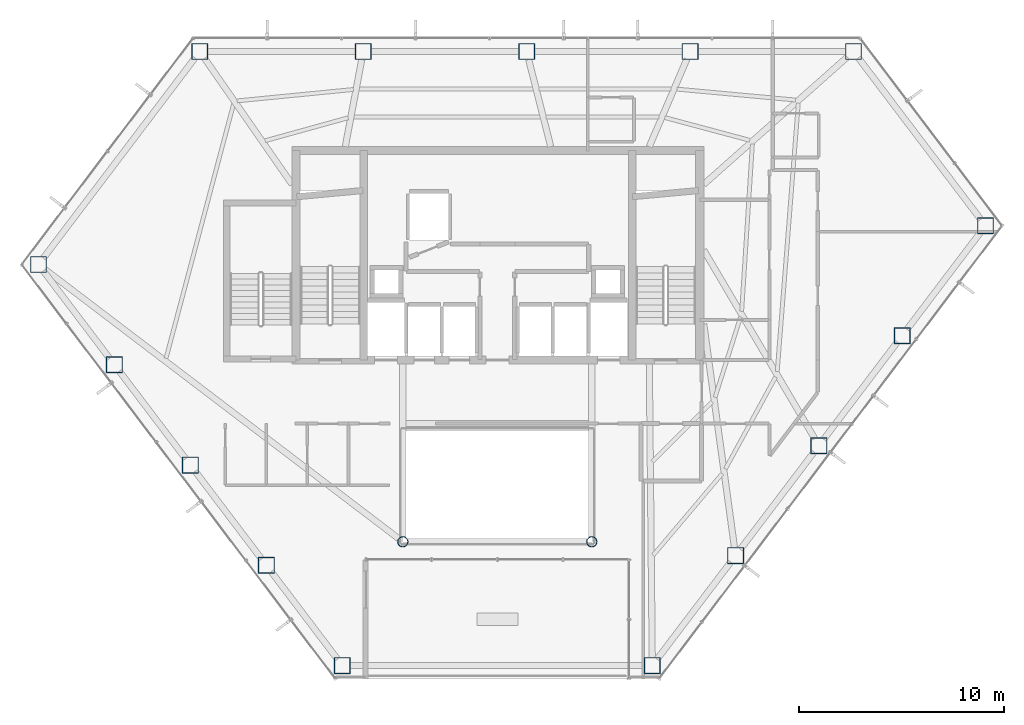
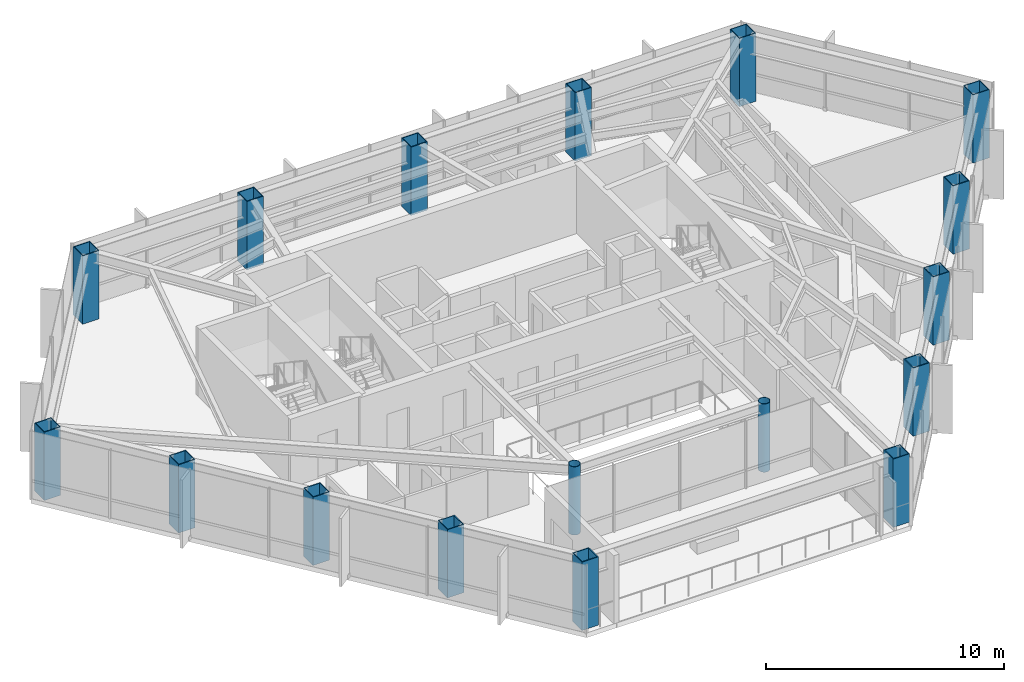
# One storey, part 1 of 28: 17 columns.
"""IFC4 building model written with IfcOpenShell, lengths in metres."""

from ifc_helpers import new_model, si_unit, direction, frame, origin, origin_2d, place, context, subcontext, project, spatial, hollow_rectangle, hollow_circle, extrude, material, material_profile, profile_set, type_object, element, save


model = new_model("IFC4")

# Units and contexts
model_context = context("Model", 3, precision=1e-05, world=origin(), true_north=direction((0.0, 1.0)))
body_context = subcontext(model_context, "Body", "Model", "MODEL_VIEW")
ifc_project = project(units=[si_unit("LENGTHUNIT", "METRE"), si_unit("AREAUNIT", "SQUARE_METRE"), si_unit("VOLUMEUNIT", "CUBIC_METRE"), si_unit("PLANEANGLEUNIT", "RADIAN"), si_unit("MASSUNIT", "GRAM", prefix="KILO")], contexts=[model_context])

# Site, building, storey
site_placement = place(None, origin())
site = spatial("IfcSite", under=ifc_project, at=site_placement, CompositionType="ELEMENT")
building_placement = place(site_placement, origin())
building = spatial("IfcBuilding", under=site, at=building_placement, Name="Zarrinselat Tower", CompositionType="ELEMENT")
storey_placement = place(building_placement, frame((0.0, 0.0, 157.080078125)))
storey = spatial("IfcBuildingStorey", under=building, at=storey_placement, Name="L38", CompositionType="ELEMENT", Elevation=157.080078125)

# Columns
ifc_material_1 = material(Name="Steel S355J2", Category="steel")
ifc_material_profile_1 = material_profile(ifc_material_1, hollow_circle(Radius=0.25390625, WallThickness=0.02001953125, at=origin_2d()), Name="CHS 508x20")
ifc_profile_set_1 = profile_set([ifc_material_profile_1], Name="Steel S355J2")
column_type_1 = type_object("IfcColumnType", Name="COL-CHS508", PredefinedType="COLUMN", material=ifc_profile_set_1)
for number, where, z_axis, x_axis, name in (
    (1, (33.800048828125, 24.39990234375, 0.0), (0.0, 0.0, 1.0), (1.0, 0.0, 0.0), "L38 Atrium Corner Column 1"),
    (2, (43.0, 24.39990234375, 0.0), (0.0, 0.0, 1.0), (1.0, 0.0, 0.0), "L38 Atrium Corner Column 2"),
):
    element("IfcColumn", number, at=place(storey_placement, frame(where, z_axis=z_axis, x_axis=x_axis)), inside=storey, type_object=column_type_1, Name=name, PredefinedType="COLUMN", context=body_context, shape_type="SweptSolid", body=[
        extrude(hollow_circle(Radius=0.25390625, WallThickness=0.02001953125, at=origin_2d()), origin(), (0.0, 0.0, 1.0), 3.5),
    ])
ifc_material_2 = material(Name="Steel S460M", Category="steel")
ifc_material_profile_2 = material_profile(ifc_material_2, hollow_rectangle(XDim=0.800048828125, YDim=0.800048828125, WallThickness=0.0400390625, at=origin_2d()), Name="SHS 800x800x40")
ifc_profile_set_2 = profile_set([ifc_material_profile_2], Name="Steel S460M")
column_type_2 = type_object("IfcColumnType", Name="COL-SHS800", PredefinedType="COLUMN", material=ifc_profile_set_2)
for number, where, z_axis, x_axis, name in (
    (3, (55.7421875, 48.2666015625, 0.0), (0.0, 0.0, 1.0), (1.0, 0.0, 0.0), "L38 Framed-Tube Column T01"),
    (4, (47.7861328125, 48.2666015625, 0.0), (0.0, 0.0, 1.0), (1.0, 0.0, 0.0), "L38 Framed-Tube Column T02"),
    (5, (39.830078125, 48.2666015625, 0.0), (0.0, 0.0, 1.0), (1.0, 0.0, 0.0), "L38 Framed-Tube Column T03"),
    (6, (31.8740234375, 48.2666015625, 0.0), (0.0, 0.0, 1.0), (1.0, 0.0, 0.0), "L38 Framed-Tube Column T04"),
    (7, (23.91796875, 48.2666015625, 0.0), (0.0, 0.0, 1.0), (1.0, 0.0, 0.0), "L38 Framed-Tube Column T05"),
    (8, (16.06298828125, 37.89794921875, 0.0), (0.0, 0.0, 1.0), (1.0, 0.0, 0.0), "L38 Framed-Tube Column T06"),
    (9, (19.7607421875, 33.016845703125, 0.0), (0.0, 0.0, 1.0), (1.0, 0.0, 0.0), "L38 Framed-Tube Column T07"),
    (10, (23.45849609375, 28.1357421875, 0.0), (0.0, 0.0, 1.0), (1.0, 0.0, 0.0), "L38 Framed-Tube Column T08"),
    (11, (27.156494140625, 23.254638671875, 0.0), (0.0, 0.0, 1.0), (1.0, 0.0, 0.0), "L38 Framed-Tube Column T09"),
    (12, (30.854248046875, 18.373291015625, 0.0), (0.0, 0.0, 1.0), (1.0, 0.0, 0.0), "L38 Framed-Tube Column T10"),
    (13, (45.94580078125, 18.373291015625, 0.0), (0.0, 0.0, 1.0), (1.0, 0.0, 0.0), "L38 Framed-Tube Column T11"),
    (14, (50.0009765625, 23.7265625, 0.0), (0.0, 0.0, 1.0), (1.0, 0.0, 0.0), "L38 Framed-Tube Column T12"),
    (15, (54.056396484375, 29.07958984375, 0.0), (0.0, 0.0, 1.0), (1.0, 0.0, 0.0), "L38 Framed-Tube Column T13"),
    (16, (58.11181640625, 34.4326171875, 0.0), (0.0, 0.0, 1.0), (1.0, 0.0, 0.0), "L38 Framed-Tube Column T14"),
    (17, (62.1669921875, 39.78564453125, 0.0), (0.0, 0.0, 1.0), (1.0, 0.0, 0.0), "L38 Framed-Tube Column T15"),
):
    element("IfcColumn", number, at=place(storey_placement, frame(where, z_axis=z_axis, x_axis=x_axis)), inside=storey, type_object=column_type_2, Name=name, PredefinedType="COLUMN", context=body_context, shape_type="SweptSolid", body=[
        extrude(hollow_rectangle(XDim=0.800048828125, YDim=0.800048828125, WallThickness=0.0400390625, at=origin_2d()), origin(), (0.0, 0.0, 1.0), 3.5),
    ])

save(model, "model.ifc")
